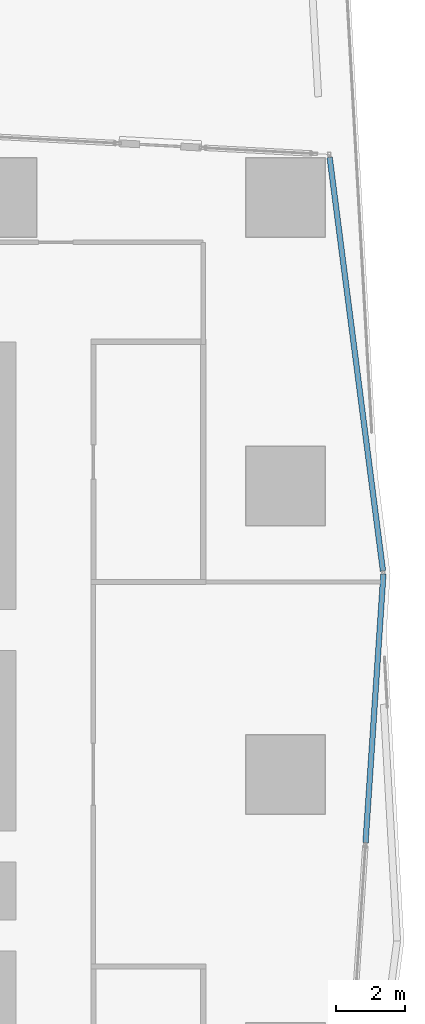
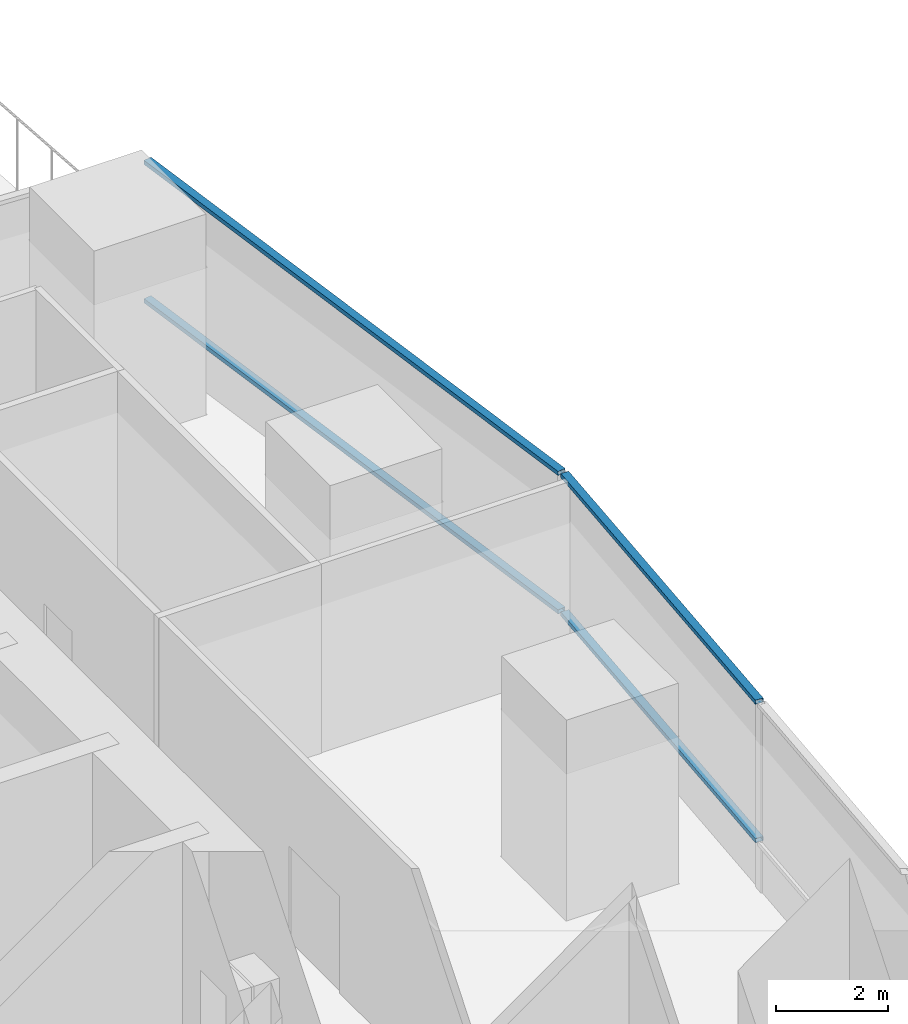
# One storey, part 7 of 39: 4 members, 2 elements without a shape of their own.
"""IFC4 building model written with IfcOpenShell, lengths in metres."""

from ifc_helpers import new_model, si_unit, direction, frame, origin, origin_2d, place, context, subcontext, project, spatial, hollow_rectangle, extrude, material, material_profile, profile_set, type_object, element, aggregate, save


model = new_model("IFC4")

# Units and contexts
model_context = context("Model", 3, precision=1e-05, world=origin(), true_north=direction((0.0, 1.0)))
body_context = subcontext(model_context, "Body", "Model", "MODEL_VIEW")
ifc_project = project(units=[si_unit("LENGTHUNIT", "METRE"), si_unit("AREAUNIT", "SQUARE_METRE"), si_unit("VOLUMEUNIT", "CUBIC_METRE"), si_unit("PLANEANGLEUNIT", "RADIAN"), si_unit("MASSUNIT", "GRAM", prefix="KILO")], contexts=[model_context])

# Site, building, storey
site_placement = place(None, origin())
site = spatial("IfcSite", under=ifc_project, at=site_placement, CompositionType="ELEMENT")
building_placement = place(site_placement, origin())
building = spatial("IfcBuilding", under=site, at=building_placement, Name="Rekha Terrace Tower", CompositionType="ELEMENT")
storey_placement = place(building_placement, frame((0.0, 0.0, 245.60009765625)))
storey = spatial("IfcBuildingStorey", under=building, at=storey_placement, Name="L62", CompositionType="ELEMENT", Elevation=245.60009765625)

# Curtain wall, members
ifc_material_1 = material(Name="Aluminium framing", Category="aluminium")
curtain_wall_type = type_object("IfcCurtainWallType", Name="CW5 sky garden glazing", PredefinedType="USERDEFINED", material=ifc_material_1)
curtain_wall_1_placement = place(storey_placement, origin())
curtain_wall_1 = element("IfcCurtainWall", 1, at=curtain_wall_1_placement, inside=storey, type_object=curtain_wall_type, Name="CW5 sky garden curtain wall", ObjectType="SKY GARDEN CURTAIN WALL", PredefinedType="USERDEFINED")
ifc_material_2 = material(Name="Aluminium transom section", Category="aluminium")
ifc_material_profile = material_profile(ifc_material_2, hollow_rectangle(XDim=0.159912109375, YDim=0.090087890625, WallThickness=0.0029296875, at=origin_2d()), Name="AL RHS 160x90")
ifc_profile_set = profile_set([ifc_material_profile], Name="Aluminium transom section")
member_type = type_object("IfcMemberType", Name="CW5 transom RHS 90 x 160", PredefinedType="USERDEFINED", material=ifc_profile_set)
member_1_placement = place(storey_placement, frame((61.12939453125, 31.608642578125, 1.199951171875), z_axis=(0.066277263522, 0.997801244908, 0.0), x_axis=(-0.997801244908, 0.066277263522, 0.0)))
member_1 = element("IfcMember", 2, at=member_1_placement, type_object=member_type, Name="CW5 transom 3.2", ObjectType="TRANSOM", PredefinedType="USERDEFINED", context=body_context, shape_type="SweptSolid", body=[
    extrude(hollow_rectangle(XDim=0.159912109375, YDim=0.090087890625, WallThickness=0.0029296875, at=origin_2d()), origin(), (0.0, 0.0, 1.0), 7.842529296875),
])
member_2_placement = place(storey_placement, frame((61.12939453125, 31.608642578125, 4.204833984375), z_axis=(0.066277263522, 0.997801244908, 0.0), x_axis=(-0.997801244908, 0.066277263522, 0.0)))
member_2 = element("IfcMember", 3, at=member_2_placement, type_object=member_type, Name="CW5 transom 3.3", ObjectType="TRANSOM", PredefinedType="USERDEFINED", context=body_context, shape_type="SweptSolid", body=[
    extrude(hollow_rectangle(XDim=0.159912109375, YDim=0.090087890625, WallThickness=0.0029296875, at=origin_2d()), origin(), (0.0, 0.0, 1.0), 7.842529296875),
])
aggregate(curtain_wall_1, [member_1, member_2])

curtain_wall_2_placement = place(storey_placement, origin())
curtain_wall_2 = element("IfcCurtainWall", 4, at=curtain_wall_2_placement, inside=storey, type_object=curtain_wall_type, Name="CW5 sky garden curtain wall", ObjectType="SKY GARDEN CURTAIN WALL", PredefinedType="USERDEFINED")
member_3_placement = place(storey_placement, frame((61.6376953125, 39.52294921875, 1.199951171875), z_axis=(-0.127873122989, 0.991790534547, 0.0), x_axis=(-0.991790534547, -0.127873122989, 0.0)))
member_3 = element("IfcMember", 5, at=member_3_placement, type_object=member_type, Name="CW5 transom 1.2", ObjectType="TRANSOM", PredefinedType="USERDEFINED", context=body_context, shape_type="SweptSolid", body=[
    extrude(hollow_rectangle(XDim=0.159912109375, YDim=0.090087890625, WallThickness=0.0029296875, at=origin_2d()), origin(), (0.0, 0.0, 1.0), 12.146484375),
])
member_4_placement = place(storey_placement, frame((61.6376953125, 39.52294921875, 4.204833984375), z_axis=(-0.127873122989, 0.991790534547, 0.0), x_axis=(-0.991790534547, -0.127873122989, 0.0)))
member_4 = element("IfcMember", 6, at=member_4_placement, type_object=member_type, Name="CW5 transom 1.3", ObjectType="TRANSOM", PredefinedType="USERDEFINED", context=body_context, shape_type="SweptSolid", body=[
    extrude(hollow_rectangle(XDim=0.159912109375, YDim=0.090087890625, WallThickness=0.0029296875, at=origin_2d()), origin(), (0.0, 0.0, 1.0), 12.146484375),
])
aggregate(curtain_wall_2, [member_3, member_4])

save(model, "model.ifc")
